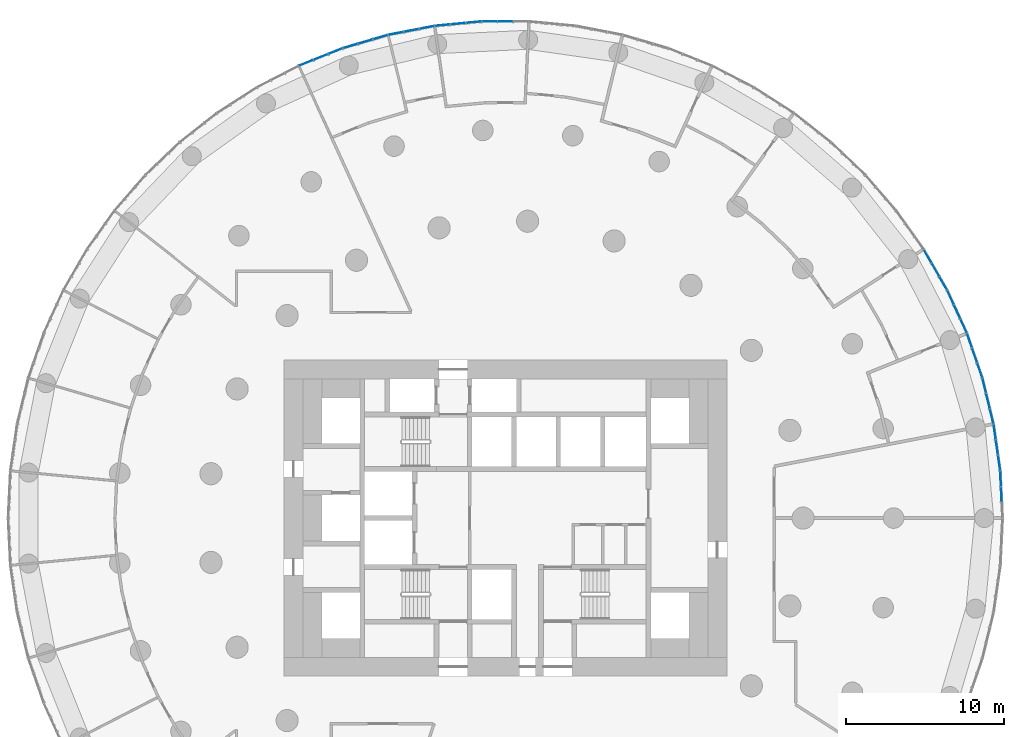
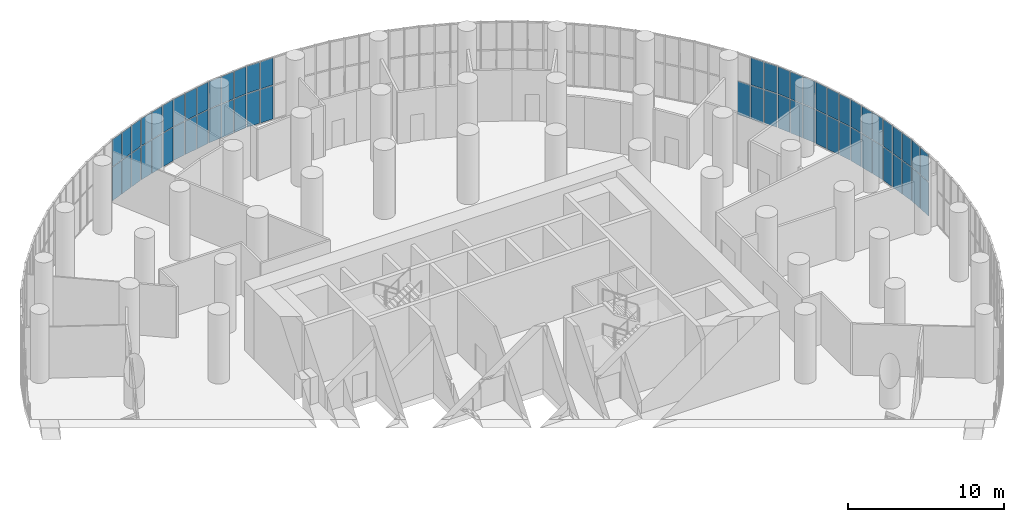
# One storey, part 18 of 27: 61 plates, 11 elements without a shape of their own.
"""IFC4 building model written with IfcOpenShell, lengths in metres."""

from ifc_helpers import new_model, si_unit, direction, frame, origin, origin_2d, place, context, subcontext, project, spatial, rectangle, extrude, material, layer, layer_set, type_object, element, aggregate, save


model = new_model("IFC4")

# Units and contexts
model_context = context("Model", 3, precision=1e-05, world=origin(), true_north=direction((0.0, 1.0)))
body_context = subcontext(model_context, "Body", "Model", "MODEL_VIEW")
ifc_project = project(units=[si_unit("LENGTHUNIT", "METRE"), si_unit("AREAUNIT", "SQUARE_METRE"), si_unit("VOLUMEUNIT", "CUBIC_METRE"), si_unit("PLANEANGLEUNIT", "RADIAN"), si_unit("MASSUNIT", "GRAM", prefix="KILO")], contexts=[model_context])

# Site, building, storey
site_placement = place(None, origin())
site = spatial("IfcSite", under=ifc_project, at=site_placement, CompositionType="ELEMENT")
building_placement = place(site_placement, origin())
building = spatial("IfcBuilding", under=site, at=building_placement, Name="Tracery Tower", CompositionType="ELEMENT")
storey_placement = place(building_placement, frame((0.0, 0.0, 114.60009765625)))
storey = spatial("IfcBuildingStorey", under=building, at=storey_placement, Name="L29", CompositionType="ELEMENT", Elevation=114.60009765625)

# Curtain wall, plates
ifc_material_1 = material(Name="Aluminium curtain wall with tinted glass", Category="aluminium")
ifc_layer_1 = layer(ifc_material_1, 0.179931640625)
ifc_layer_set_1 = layer_set([ifc_layer_1], Name="Sky lounge 1 tracery curtain wall")
curtain_wall_type = type_object("IfcCurtainWallType", Name="Sky lounge 1 tracery curtain wall", PredefinedType="NOTDEFINED", material=ifc_layer_set_1)
curtain_wall_1_placement = place(storey_placement, origin())
curtain_wall_1 = element("IfcCurtainWall", 1, at=curtain_wall_1_placement, inside=storey, type_object=curtain_wall_type, Name="Sky lounge 1 curtain wall run 1", PredefinedType="NOTDEFINED")
ifc_material_2 = material(Name="Tinted laminated glass", Category="glass")
ifc_layer_2 = layer(ifc_material_2, 0.031982421875)
ifc_layer_set_2 = layer_set([ifc_layer_2], Name="Sky lounge 1 glass panel 32")
plate_type = type_object("IfcPlateType", Name="Sky lounge 1 glass panel 32", PredefinedType="CURTAIN_PANEL", material=ifc_layer_set_2)
plate_1_placement = place(storey_placement, frame((31.36328125, 1.494140625, 0.06005859375), z_axis=(0.0, 0.0, 1.0), x_axis=(-0.047581915819, 0.998867339183, 0.0)))
plate_1 = element("IfcPlate", 2, at=plate_1_placement, type_object=plate_type, Name="Sky lounge 1 curtain wall run 1 glass panel 3", PredefinedType="CURTAIN_PANEL", context=body_context, shape_type="SweptSolid", body=[
    extrude(rectangle(XDim=0.937255859375, YDim=0.031982421875, at=origin_2d()), origin(), (0.0, 0.0, 1.0), 2.610107421875),
])
plate_2_placement = place(storey_placement, frame((31.36328125, 1.494140625, 2.72998046875), z_axis=(0.0, 0.0, 1.0), x_axis=(-0.047581915819, 0.998867339183, 0.0)))
plate_2 = element("IfcPlate", 3, at=plate_2_placement, type_object=plate_type, Name="Sky lounge 1 curtain wall run 1 glass panel 4", PredefinedType="CURTAIN_PANEL", context=body_context, shape_type="SweptSolid", body=[
    extrude(rectangle(XDim=0.937255859375, YDim=0.031982421875, at=origin_2d()), origin(), (0.0, 0.0, 1.0), 2.110107421875),
])
plate_3_placement = place(storey_placement, frame((31.31591796875, 2.489990234375, 0.06005859375), z_axis=(0.0, 0.0, 1.0), x_axis=(-0.047581915819, 0.998867339183, 0.0)))
plate_3 = element("IfcPlate", 4, at=plate_3_placement, type_object=plate_type, Name="Sky lounge 1 curtain wall run 1 glass panel 5", PredefinedType="CURTAIN_PANEL", context=body_context, shape_type="SweptSolid", body=[
    extrude(rectangle(XDim=0.937255859375, YDim=0.031982421875, at=origin_2d()), origin(), (0.0, 0.0, 1.0), 2.610107421875),
])
plate_4_placement = place(storey_placement, frame((31.31591796875, 2.489990234375, 2.72998046875), z_axis=(0.0, 0.0, 1.0), x_axis=(-0.047581915819, 0.998867339183, 0.0)))
plate_4 = element("IfcPlate", 5, at=plate_4_placement, type_object=plate_type, Name="Sky lounge 1 curtain wall run 1 glass panel 6", PredefinedType="CURTAIN_PANEL", context=body_context, shape_type="SweptSolid", body=[
    extrude(rectangle(XDim=0.937255859375, YDim=0.031982421875, at=origin_2d()), origin(), (0.0, 0.0, 1.0), 2.110107421875),
])
aggregate(curtain_wall_1, [plate_1, plate_2, plate_3, plate_4])

curtain_wall_2_placement = place(storey_placement, origin())
curtain_wall_2 = element("IfcCurtainWall", 6, at=curtain_wall_2_placement, inside=storey, type_object=curtain_wall_type, Name="Sky lounge 1 curtain wall run 2", PredefinedType="NOTDEFINED")
plate_5_placement = place(storey_placement, frame((31.22119140625, 3.4814453125, 0.06005859375), z_axis=(0.0, 0.0, 1.0), x_axis=(-0.142314838276, 0.98982144188, 0.0)))
plate_5 = element("IfcPlate", 7, at=plate_5_placement, type_object=plate_type, Name="Sky lounge 1 curtain wall run 2 glass panel 1", PredefinedType="CURTAIN_PANEL", context=body_context, shape_type="SweptSolid", body=[
    extrude(rectangle(XDim=0.937255859375, YDim=0.031982421875, at=origin_2d()), origin(), (0.0, 0.0, 1.0), 2.610107421875),
])
plate_6_placement = place(storey_placement, frame((31.22119140625, 3.4814453125, 2.72998046875), z_axis=(0.0, 0.0, 1.0), x_axis=(-0.142314838276, 0.98982144188, 0.0)))
plate_6 = element("IfcPlate", 8, at=plate_6_placement, type_object=plate_type, Name="Sky lounge 1 curtain wall run 2 glass panel 2", PredefinedType="CURTAIN_PANEL", context=body_context, shape_type="SweptSolid", body=[
    extrude(rectangle(XDim=0.937255859375, YDim=0.031982421875, at=origin_2d()), origin(), (0.0, 0.0, 1.0), 2.110107421875),
])
plate_7_placement = place(storey_placement, frame((31.079345703125, 4.468505859375, 0.06005859375), z_axis=(0.0, 0.0, 1.0), x_axis=(-0.142314838276, 0.98982144188, 0.0)))
plate_7 = element("IfcPlate", 9, at=plate_7_placement, type_object=plate_type, Name="Sky lounge 1 curtain wall run 2 glass panel 3", PredefinedType="CURTAIN_PANEL", context=body_context, shape_type="SweptSolid", body=[
    extrude(rectangle(XDim=0.937255859375, YDim=0.031982421875, at=origin_2d()), origin(), (0.0, 0.0, 1.0), 2.610107421875),
])
plate_8_placement = place(storey_placement, frame((31.079345703125, 4.468505859375, 2.72998046875), z_axis=(0.0, 0.0, 1.0), x_axis=(-0.142314838276, 0.98982144188, 0.0)))
plate_8 = element("IfcPlate", 10, at=plate_8_placement, type_object=plate_type, Name="Sky lounge 1 curtain wall run 2 glass panel 4", PredefinedType="CURTAIN_PANEL", context=body_context, shape_type="SweptSolid", body=[
    extrude(rectangle(XDim=0.937255859375, YDim=0.031982421875, at=origin_2d()), origin(), (0.0, 0.0, 1.0), 2.110107421875),
])
plate_9_placement = place(storey_placement, frame((30.9375, 5.45556640625, 0.06005859375), z_axis=(0.0, 0.0, 1.0), x_axis=(-0.142314838276, 0.98982144188, 0.0)))
plate_9 = element("IfcPlate", 11, at=plate_9_placement, type_object=plate_type, Name="Sky lounge 1 curtain wall run 2 glass panel 5", PredefinedType="CURTAIN_PANEL", context=body_context, shape_type="SweptSolid", body=[
    extrude(rectangle(XDim=0.937255859375, YDim=0.031982421875, at=origin_2d()), origin(), (0.0, 0.0, 1.0), 2.610107421875),
])
plate_10_placement = place(storey_placement, frame((30.9375, 5.45556640625, 2.72998046875), z_axis=(0.0, 0.0, 1.0), x_axis=(-0.142314838276, 0.98982144188, 0.0)))
plate_10 = element("IfcPlate", 12, at=plate_10_placement, type_object=plate_type, Name="Sky lounge 1 curtain wall run 2 glass panel 6", PredefinedType="CURTAIN_PANEL", context=body_context, shape_type="SweptSolid", body=[
    extrude(rectangle(XDim=0.937255859375, YDim=0.031982421875, at=origin_2d()), origin(), (0.0, 0.0, 1.0), 2.110107421875),
])
aggregate(curtain_wall_2, [plate_5, plate_6, plate_7, plate_8, plate_9, plate_10])

curtain_wall_3_placement = place(storey_placement, origin())
curtain_wall_3 = element("IfcCurtainWall", 13, at=curtain_wall_3_placement, inside=storey, type_object=curtain_wall_type, Name="Sky lounge 1 curtain wall run 3", PredefinedType="NOTDEFINED")
plate_11_placement = place(storey_placement, frame((30.748779296875, 6.43359375, 0.06005859375), z_axis=(0.0, 0.0, 1.0), x_axis=(-0.235758935503, 0.971811568325, 0.0)))
plate_11 = element("IfcPlate", 14, at=plate_11_placement, type_object=plate_type, Name="Sky lounge 1 curtain wall run 3 glass panel 1", PredefinedType="CURTAIN_PANEL", context=body_context, shape_type="SweptSolid", body=[
    extrude(rectangle(XDim=0.937255859375, YDim=0.031982421875, at=origin_2d()), origin(), (0.0, 0.0, 1.0), 2.610107421875),
])
plate_12_placement = place(storey_placement, frame((30.748779296875, 6.43359375, 2.72998046875), z_axis=(0.0, 0.0, 1.0), x_axis=(-0.235758935503, 0.971811568325, 0.0)))
plate_12 = element("IfcPlate", 15, at=plate_12_placement, type_object=plate_type, Name="Sky lounge 1 curtain wall run 3 glass panel 2", PredefinedType="CURTAIN_PANEL", context=body_context, shape_type="SweptSolid", body=[
    extrude(rectangle(XDim=0.937255859375, YDim=0.031982421875, at=origin_2d()), origin(), (0.0, 0.0, 1.0), 2.110107421875),
])
plate_13_placement = place(storey_placement, frame((30.513916015625, 7.402587890625, 0.06005859375), z_axis=(0.0, 0.0, 1.0), x_axis=(-0.235758935503, 0.971811568325, 0.0)))
plate_13 = element("IfcPlate", 16, at=plate_13_placement, type_object=plate_type, Name="Sky lounge 1 curtain wall run 3 glass panel 3", PredefinedType="CURTAIN_PANEL", context=body_context, shape_type="SweptSolid", body=[
    extrude(rectangle(XDim=0.937255859375, YDim=0.031982421875, at=origin_2d()), origin(), (0.0, 0.0, 1.0), 2.610107421875),
])
plate_14_placement = place(storey_placement, frame((30.513916015625, 7.402587890625, 2.72998046875), z_axis=(0.0, 0.0, 1.0), x_axis=(-0.235758935503, 0.971811568325, 0.0)))
plate_14 = element("IfcPlate", 17, at=plate_14_placement, type_object=plate_type, Name="Sky lounge 1 curtain wall run 3 glass panel 4", PredefinedType="CURTAIN_PANEL", context=body_context, shape_type="SweptSolid", body=[
    extrude(rectangle(XDim=0.937255859375, YDim=0.031982421875, at=origin_2d()), origin(), (0.0, 0.0, 1.0), 2.110107421875),
])
plate_15_placement = place(storey_placement, frame((30.27880859375, 8.37158203125, 0.06005859375), z_axis=(0.0, 0.0, 1.0), x_axis=(-0.235758935503, 0.971811568325, 0.0)))
plate_15 = element("IfcPlate", 18, at=plate_15_placement, type_object=plate_type, Name="Sky lounge 1 curtain wall run 3 glass panel 5", PredefinedType="CURTAIN_PANEL", context=body_context, shape_type="SweptSolid", body=[
    extrude(rectangle(XDim=0.937255859375, YDim=0.031982421875, at=origin_2d()), origin(), (0.0, 0.0, 1.0), 2.610107421875),
])
plate_16_placement = place(storey_placement, frame((30.27880859375, 8.37158203125, 2.72998046875), z_axis=(0.0, 0.0, 1.0), x_axis=(-0.235758935503, 0.971811568325, 0.0)))
plate_16 = element("IfcPlate", 19, at=plate_16_placement, type_object=plate_type, Name="Sky lounge 1 curtain wall run 3 glass panel 6", PredefinedType="CURTAIN_PANEL", context=body_context, shape_type="SweptSolid", body=[
    extrude(rectangle(XDim=0.937255859375, YDim=0.031982421875, at=origin_2d()), origin(), (0.0, 0.0, 1.0), 2.110107421875),
])
aggregate(curtain_wall_3, [plate_11, plate_12, plate_13, plate_14, plate_15, plate_16])

curtain_wall_4_placement = place(storey_placement, origin())
curtain_wall_4 = element("IfcCurtainWall", 20, at=curtain_wall_4_placement, inside=storey, type_object=curtain_wall_type, Name="Sky lounge 1 curtain wall run 4", PredefinedType="NOTDEFINED")
plate_17_placement = place(storey_placement, frame((29.998046875, 9.327392578125, 0.06005859375), z_axis=(0.0, 0.0, 1.0), x_axis=(-0.327067963319, 0.945000818714, 0.0)))
plate_17 = element("IfcPlate", 21, at=plate_17_placement, type_object=plate_type, Name="Sky lounge 1 curtain wall run 4 glass panel 1", PredefinedType="CURTAIN_PANEL", context=body_context, shape_type="SweptSolid", body=[
    extrude(rectangle(XDim=0.937255859375, YDim=0.031982421875, at=origin_2d()), origin(), (0.0, 0.0, 1.0), 2.610107421875),
])
plate_18_placement = place(storey_placement, frame((29.998046875, 9.327392578125, 2.72998046875), z_axis=(0.0, 0.0, 1.0), x_axis=(-0.327067963319, 0.945000818714, 0.0)))
plate_18 = element("IfcPlate", 22, at=plate_18_placement, type_object=plate_type, Name="Sky lounge 1 curtain wall run 4 glass panel 2", PredefinedType="CURTAIN_PANEL", context=body_context, shape_type="SweptSolid", body=[
    extrude(rectangle(XDim=0.937255859375, YDim=0.031982421875, at=origin_2d()), origin(), (0.0, 0.0, 1.0), 2.110107421875),
])
plate_19_placement = place(storey_placement, frame((29.671875, 10.26953125, 0.06005859375), z_axis=(0.0, 0.0, 1.0), x_axis=(-0.327067963319, 0.945000818714, 0.0)))
plate_19 = element("IfcPlate", 23, at=plate_19_placement, type_object=plate_type, Name="Sky lounge 1 curtain wall run 4 glass panel 3", PredefinedType="CURTAIN_PANEL", context=body_context, shape_type="SweptSolid", body=[
    extrude(rectangle(XDim=0.937255859375, YDim=0.031982421875, at=origin_2d()), origin(), (0.0, 0.0, 1.0), 2.610107421875),
])
plate_20_placement = place(storey_placement, frame((29.671875, 10.26953125, 2.72998046875), z_axis=(0.0, 0.0, 1.0), x_axis=(-0.327067963319, 0.945000818714, 0.0)))
plate_20 = element("IfcPlate", 24, at=plate_20_placement, type_object=plate_type, Name="Sky lounge 1 curtain wall run 4 glass panel 4", PredefinedType="CURTAIN_PANEL", context=body_context, shape_type="SweptSolid", body=[
    extrude(rectangle(XDim=0.937255859375, YDim=0.031982421875, at=origin_2d()), origin(), (0.0, 0.0, 1.0), 2.110107421875),
])
plate_21_placement = place(storey_placement, frame((29.345947265625, 11.2119140625, 0.06005859375), z_axis=(0.0, 0.0, 1.0), x_axis=(-0.327067963319, 0.945000818714, 0.0)))
plate_21 = element("IfcPlate", 25, at=plate_21_placement, type_object=plate_type, Name="Sky lounge 1 curtain wall run 4 glass panel 5", PredefinedType="CURTAIN_PANEL", context=body_context, shape_type="SweptSolid", body=[
    extrude(rectangle(XDim=0.937255859375, YDim=0.031982421875, at=origin_2d()), origin(), (0.0, 0.0, 1.0), 2.610107421875),
])
plate_22_placement = place(storey_placement, frame((29.345947265625, 11.2119140625, 2.72998046875), z_axis=(0.0, 0.0, 1.0), x_axis=(-0.327067963319, 0.945000818714, 0.0)))
plate_22 = element("IfcPlate", 26, at=plate_22_placement, type_object=plate_type, Name="Sky lounge 1 curtain wall run 4 glass panel 6", PredefinedType="CURTAIN_PANEL", context=body_context, shape_type="SweptSolid", body=[
    extrude(rectangle(XDim=0.937255859375, YDim=0.031982421875, at=origin_2d()), origin(), (0.0, 0.0, 1.0), 2.110107421875),
])
aggregate(curtain_wall_4, [plate_17, plate_18, plate_19, plate_20, plate_21, plate_22])

curtain_wall_5_placement = place(storey_placement, origin())
curtain_wall_5 = element("IfcCurtainWall", 27, at=curtain_wall_5_placement, inside=storey, type_object=curtain_wall_type, Name="Sky lounge 1 curtain wall run 5", PredefinedType="NOTDEFINED")
plate_23_placement = place(storey_placement, frame((28.9755859375, 12.136474609375, 0.06005859375), z_axis=(0.0, 0.0, 1.0), x_axis=(-0.415415012995, 0.909631995358, 0.0)))
plate_23 = element("IfcPlate", 28, at=plate_23_placement, type_object=plate_type, Name="Sky lounge 1 curtain wall run 5 glass panel 1", PredefinedType="CURTAIN_PANEL", context=body_context, shape_type="SweptSolid", body=[
    extrude(rectangle(XDim=0.937255859375, YDim=0.031982421875, at=origin_2d()), origin(), (0.0, 0.0, 1.0), 2.610107421875),
])
plate_24_placement = place(storey_placement, frame((28.9755859375, 12.136474609375, 2.72998046875), z_axis=(0.0, 0.0, 1.0), x_axis=(-0.415415012995, 0.909631995358, 0.0)))
plate_24 = element("IfcPlate", 29, at=plate_24_placement, type_object=plate_type, Name="Sky lounge 1 curtain wall run 5 glass panel 2", PredefinedType="CURTAIN_PANEL", context=body_context, shape_type="SweptSolid", body=[
    extrude(rectangle(XDim=0.937255859375, YDim=0.031982421875, at=origin_2d()), origin(), (0.0, 0.0, 1.0), 2.110107421875),
])
plate_25_placement = place(storey_placement, frame((28.5615234375, 13.04345703125, 0.06005859375), z_axis=(0.0, 0.0, 1.0), x_axis=(-0.415415012995, 0.909631995358, 0.0)))
plate_25 = element("IfcPlate", 30, at=plate_25_placement, type_object=plate_type, Name="Sky lounge 1 curtain wall run 5 glass panel 3", PredefinedType="CURTAIN_PANEL", context=body_context, shape_type="SweptSolid", body=[
    extrude(rectangle(XDim=0.937255859375, YDim=0.031982421875, at=origin_2d()), origin(), (0.0, 0.0, 1.0), 2.610107421875),
])
plate_26_placement = place(storey_placement, frame((28.5615234375, 13.04345703125, 2.72998046875), z_axis=(0.0, 0.0, 1.0), x_axis=(-0.415415012995, 0.909631995358, 0.0)))
plate_26 = element("IfcPlate", 31, at=plate_26_placement, type_object=plate_type, Name="Sky lounge 1 curtain wall run 5 glass panel 4", PredefinedType="CURTAIN_PANEL", context=body_context, shape_type="SweptSolid", body=[
    extrude(rectangle(XDim=0.937255859375, YDim=0.031982421875, at=origin_2d()), origin(), (0.0, 0.0, 1.0), 2.110107421875),
])
plate_27_placement = place(storey_placement, frame((28.147216796875, 13.95068359375, 0.06005859375), z_axis=(0.0, 0.0, 1.0), x_axis=(-0.415415012995, 0.909631995358, 0.0)))
plate_27 = element("IfcPlate", 32, at=plate_27_placement, type_object=plate_type, Name="Sky lounge 1 curtain wall run 5 glass panel 5", PredefinedType="CURTAIN_PANEL", context=body_context, shape_type="SweptSolid", body=[
    extrude(rectangle(XDim=0.937255859375, YDim=0.031982421875, at=origin_2d()), origin(), (0.0, 0.0, 1.0), 2.610107421875),
])
plate_28_placement = place(storey_placement, frame((28.147216796875, 13.95068359375, 2.72998046875), z_axis=(0.0, 0.0, 1.0), x_axis=(-0.415415012995, 0.909631995358, 0.0)))
plate_28 = element("IfcPlate", 33, at=plate_28_placement, type_object=plate_type, Name="Sky lounge 1 curtain wall run 5 glass panel 6", PredefinedType="CURTAIN_PANEL", context=body_context, shape_type="SweptSolid", body=[
    extrude(rectangle(XDim=0.937255859375, YDim=0.031982421875, at=origin_2d()), origin(), (0.0, 0.0, 1.0), 2.110107421875),
])
aggregate(curtain_wall_5, [plate_23, plate_24, plate_25, plate_26, plate_27, plate_28])

curtain_wall_6_placement = place(storey_placement, origin())
curtain_wall_6 = element("IfcCurtainWall", 34, at=curtain_wall_6_placement, inside=storey, type_object=curtain_wall_type, Name="Sky lounge 1 curtain wall run 6", PredefinedType="NOTDEFINED")
plate_29_placement = place(storey_placement, frame((27.69091796875, 14.8359375, 0.06005859375), z_axis=(0.0, 0.0, 1.0), x_axis=(-0.5, 0.866025403784, 0.0)))
plate_29 = element("IfcPlate", 35, at=plate_29_placement, type_object=plate_type, Name="Sky lounge 1 curtain wall run 6 glass panel 1", PredefinedType="CURTAIN_PANEL", context=body_context, shape_type="SweptSolid", body=[
    extrude(rectangle(XDim=0.937255859375, YDim=0.031982421875, at=origin_2d()), origin(), (0.0, 0.0, 1.0), 2.610107421875),
])
plate_30_placement = place(storey_placement, frame((27.69091796875, 14.8359375, 2.72998046875), z_axis=(0.0, 0.0, 1.0), x_axis=(-0.5, 0.866025403784, 0.0)))
plate_30 = element("IfcPlate", 36, at=plate_30_placement, type_object=plate_type, Name="Sky lounge 1 curtain wall run 6 glass panel 2", PredefinedType="CURTAIN_PANEL", context=body_context, shape_type="SweptSolid", body=[
    extrude(rectangle(XDim=0.937255859375, YDim=0.031982421875, at=origin_2d()), origin(), (0.0, 0.0, 1.0), 2.110107421875),
])
plate_31_placement = place(storey_placement, frame((27.192138671875, 15.699462890625, 0.06005859375), z_axis=(0.0, 0.0, 1.0), x_axis=(-0.5, 0.866025403784, 0.0)))
plate_31 = element("IfcPlate", 37, at=plate_31_placement, type_object=plate_type, Name="Sky lounge 1 curtain wall run 6 glass panel 3", PredefinedType="CURTAIN_PANEL", context=body_context, shape_type="SweptSolid", body=[
    extrude(rectangle(XDim=0.937255859375, YDim=0.031982421875, at=origin_2d()), origin(), (0.0, 0.0, 1.0), 2.610107421875),
])
plate_32_placement = place(storey_placement, frame((27.192138671875, 15.699462890625, 2.72998046875), z_axis=(0.0, 0.0, 1.0), x_axis=(-0.5, 0.866025403784, 0.0)))
plate_32 = element("IfcPlate", 38, at=plate_32_placement, type_object=plate_type, Name="Sky lounge 1 curtain wall run 6 glass panel 4", PredefinedType="CURTAIN_PANEL", context=body_context, shape_type="SweptSolid", body=[
    extrude(rectangle(XDim=0.937255859375, YDim=0.031982421875, at=origin_2d()), origin(), (0.0, 0.0, 1.0), 2.110107421875),
])
plate_33_placement = place(storey_placement, frame((26.693603515625, 16.56298828125, 0.06005859375), z_axis=(0.0, 0.0, 1.0), x_axis=(-0.5, 0.866025403784, 0.0)))
plate_33 = element("IfcPlate", 39, at=plate_33_placement, type_object=plate_type, Name="Sky lounge 1 curtain wall run 6 glass panel 5", PredefinedType="CURTAIN_PANEL", context=body_context, shape_type="SweptSolid", body=[
    extrude(rectangle(XDim=0.937255859375, YDim=0.031982421875, at=origin_2d()), origin(), (0.0, 0.0, 1.0), 2.610107421875),
])
aggregate(curtain_wall_6, [plate_29, plate_30, plate_31, plate_32, plate_33])

curtain_wall_7_placement = place(storey_placement, origin())
curtain_wall_7 = element("IfcCurtainWall", 40, at=curtain_wall_7_placement, inside=storey, type_object=curtain_wall_type, Name="Sky lounge 1 curtain wall run 17", PredefinedType="NOTDEFINED")
plate_34_placement = place(storey_placement, frame((0.0, 31.39892578125, 0.06005859375), z_axis=(0.0, 0.0, 1.0), x_axis=(-1.0, 0.0, 0.0)))
plate_34 = element("IfcPlate", 41, at=plate_34_placement, type_object=plate_type, Name="Sky lounge 1 curtain wall run 17 glass panel 3", PredefinedType="CURTAIN_PANEL", context=body_context, shape_type="SweptSolid", body=[
    extrude(rectangle(XDim=0.937255859375, YDim=0.031982421875, at=origin_2d()), origin(), (0.0, 0.0, 1.0), 2.610107421875),
])
plate_35_placement = place(storey_placement, frame((0.0, 31.39892578125, 2.72998046875), z_axis=(0.0, 0.0, 1.0), x_axis=(-1.0, 0.0, 0.0)))
plate_35 = element("IfcPlate", 42, at=plate_35_placement, type_object=plate_type, Name="Sky lounge 1 curtain wall run 17 glass panel 4", PredefinedType="CURTAIN_PANEL", context=body_context, shape_type="SweptSolid", body=[
    extrude(rectangle(XDim=0.937255859375, YDim=0.031982421875, at=origin_2d()), origin(), (0.0, 0.0, 1.0), 2.110107421875),
])
plate_36_placement = place(storey_placement, frame((-0.9970703125, 31.39892578125, 0.06005859375), z_axis=(0.0, 0.0, 1.0), x_axis=(-1.0, 0.0, 0.0)))
plate_36 = element("IfcPlate", 43, at=plate_36_placement, type_object=plate_type, Name="Sky lounge 1 curtain wall run 17 glass panel 5", PredefinedType="CURTAIN_PANEL", context=body_context, shape_type="SweptSolid", body=[
    extrude(rectangle(XDim=0.937255859375, YDim=0.031982421875, at=origin_2d()), origin(), (0.0, 0.0, 1.0), 2.610107421875),
])
plate_37_placement = place(storey_placement, frame((-0.9970703125, 31.39892578125, 2.72998046875), z_axis=(0.0, 0.0, 1.0), x_axis=(-1.0, 0.0, 0.0)))
plate_37 = element("IfcPlate", 44, at=plate_37_placement, type_object=plate_type, Name="Sky lounge 1 curtain wall run 17 glass panel 6", PredefinedType="CURTAIN_PANEL", context=body_context, shape_type="SweptSolid", body=[
    extrude(rectangle(XDim=0.937255859375, YDim=0.031982421875, at=origin_2d()), origin(), (0.0, 0.0, 1.0), 2.110107421875),
])
aggregate(curtain_wall_7, [plate_34, plate_35, plate_36, plate_37])

curtain_wall_8_placement = place(storey_placement, origin())
curtain_wall_8 = element("IfcCurtainWall", 45, at=curtain_wall_8_placement, inside=storey, type_object=curtain_wall_type, Name="Sky lounge 1 curtain wall run 18", PredefinedType="NOTDEFINED")
plate_38_placement = place(storey_placement, frame((-1.991943359375, 31.3515625, 0.06005859375), z_axis=(0.0, 0.0, 1.0), x_axis=(-0.995471922572, -0.095056043312, 0.0)))
plate_38 = element("IfcPlate", 46, at=plate_38_placement, type_object=plate_type, Name="Sky lounge 1 curtain wall run 18 glass panel 1", PredefinedType="CURTAIN_PANEL", context=body_context, shape_type="SweptSolid", body=[
    extrude(rectangle(XDim=0.937255859375, YDim=0.031982421875, at=origin_2d()), origin(), (0.0, 0.0, 1.0), 2.610107421875),
])
plate_39_placement = place(storey_placement, frame((-1.991943359375, 31.3515625, 2.72998046875), z_axis=(0.0, 0.0, 1.0), x_axis=(-0.995471922572, -0.095056043312, 0.0)))
plate_39 = element("IfcPlate", 47, at=plate_39_placement, type_object=plate_type, Name="Sky lounge 1 curtain wall run 18 glass panel 2", PredefinedType="CURTAIN_PANEL", context=body_context, shape_type="SweptSolid", body=[
    extrude(rectangle(XDim=0.937255859375, YDim=0.031982421875, at=origin_2d()), origin(), (0.0, 0.0, 1.0), 2.110107421875),
])
plate_40_placement = place(storey_placement, frame((-2.984619140625, 31.2568359375, 0.06005859375), z_axis=(0.0, 0.0, 1.0), x_axis=(-0.995471922572, -0.095056043312, 0.0)))
plate_40 = element("IfcPlate", 48, at=plate_40_placement, type_object=plate_type, Name="Sky lounge 1 curtain wall run 18 glass panel 3", PredefinedType="CURTAIN_PANEL", context=body_context, shape_type="SweptSolid", body=[
    extrude(rectangle(XDim=0.937255859375, YDim=0.031982421875, at=origin_2d()), origin(), (0.0, 0.0, 1.0), 2.610107421875),
])
plate_41_placement = place(storey_placement, frame((-2.984619140625, 31.2568359375, 2.72998046875), z_axis=(0.0, 0.0, 1.0), x_axis=(-0.995471922572, -0.095056043312, 0.0)))
plate_41 = element("IfcPlate", 49, at=plate_41_placement, type_object=plate_type, Name="Sky lounge 1 curtain wall run 18 glass panel 4", PredefinedType="CURTAIN_PANEL", context=body_context, shape_type="SweptSolid", body=[
    extrude(rectangle(XDim=0.937255859375, YDim=0.031982421875, at=origin_2d()), origin(), (0.0, 0.0, 1.0), 2.110107421875),
])
plate_42_placement = place(storey_placement, frame((-3.977294921875, 31.161865234375, 0.06005859375), z_axis=(0.0, 0.0, 1.0), x_axis=(-0.995471922572, -0.095056043312, 0.0)))
plate_42 = element("IfcPlate", 50, at=plate_42_placement, type_object=plate_type, Name="Sky lounge 1 curtain wall run 18 glass panel 5", PredefinedType="CURTAIN_PANEL", context=body_context, shape_type="SweptSolid", body=[
    extrude(rectangle(XDim=0.937255859375, YDim=0.031982421875, at=origin_2d()), origin(), (0.0, 0.0, 1.0), 2.610107421875),
])
plate_43_placement = place(storey_placement, frame((-3.977294921875, 31.161865234375, 2.72998046875), z_axis=(0.0, 0.0, 1.0), x_axis=(-0.995471922572, -0.095056043312, 0.0)))
plate_43 = element("IfcPlate", 51, at=plate_43_placement, type_object=plate_type, Name="Sky lounge 1 curtain wall run 18 glass panel 6", PredefinedType="CURTAIN_PANEL", context=body_context, shape_type="SweptSolid", body=[
    extrude(rectangle(XDim=0.937255859375, YDim=0.031982421875, at=origin_2d()), origin(), (0.0, 0.0, 1.0), 2.110107421875),
])
aggregate(curtain_wall_8, [plate_38, plate_39, plate_40, plate_41, plate_42, plate_43])

curtain_wall_9_placement = place(storey_placement, origin())
curtain_wall_9 = element("IfcCurtainWall", 52, at=curtain_wall_9_placement, inside=storey, type_object=curtain_wall_type, Name="Sky lounge 1 curtain wall run 19", PredefinedType="NOTDEFINED")
plate_44_placement = place(storey_placement, frame((-4.963134765625, 31.020263671875, 0.06005859375), z_axis=(0.0, 0.0, 1.0), x_axis=(-0.981928697263, -0.189251244359, 0.0)))
plate_44 = element("IfcPlate", 53, at=plate_44_placement, type_object=plate_type, Name="Sky lounge 1 curtain wall run 19 glass panel 1", PredefinedType="CURTAIN_PANEL", context=body_context, shape_type="SweptSolid", body=[
    extrude(rectangle(XDim=0.937255859375, YDim=0.031982421875, at=origin_2d()), origin(), (0.0, 0.0, 1.0), 2.610107421875),
])
plate_45_placement = place(storey_placement, frame((-4.963134765625, 31.020263671875, 2.72998046875), z_axis=(0.0, 0.0, 1.0), x_axis=(-0.981928697263, -0.189251244359, 0.0)))
plate_45 = element("IfcPlate", 54, at=plate_45_placement, type_object=plate_type, Name="Sky lounge 1 curtain wall run 19 glass panel 2", PredefinedType="CURTAIN_PANEL", context=body_context, shape_type="SweptSolid", body=[
    extrude(rectangle(XDim=0.937255859375, YDim=0.031982421875, at=origin_2d()), origin(), (0.0, 0.0, 1.0), 2.110107421875),
])
plate_46_placement = place(storey_placement, frame((-5.9423828125, 30.83154296875, 0.06005859375), z_axis=(0.0, 0.0, 1.0), x_axis=(-0.981928697263, -0.189251244359, 0.0)))
plate_46 = element("IfcPlate", 55, at=plate_46_placement, type_object=plate_type, Name="Sky lounge 1 curtain wall run 19 glass panel 3", PredefinedType="CURTAIN_PANEL", context=body_context, shape_type="SweptSolid", body=[
    extrude(rectangle(XDim=0.937255859375, YDim=0.031982421875, at=origin_2d()), origin(), (0.0, 0.0, 1.0), 2.610107421875),
])
plate_47_placement = place(storey_placement, frame((-5.9423828125, 30.83154296875, 2.72998046875), z_axis=(0.0, 0.0, 1.0), x_axis=(-0.981928697263, -0.189251244359, 0.0)))
plate_47 = element("IfcPlate", 56, at=plate_47_placement, type_object=plate_type, Name="Sky lounge 1 curtain wall run 19 glass panel 4", PredefinedType="CURTAIN_PANEL", context=body_context, shape_type="SweptSolid", body=[
    extrude(rectangle(XDim=0.937255859375, YDim=0.031982421875, at=origin_2d()), origin(), (0.0, 0.0, 1.0), 2.110107421875),
])
plate_48_placement = place(storey_placement, frame((-6.92138671875, 30.642822265625, 0.06005859375), z_axis=(0.0, 0.0, 1.0), x_axis=(-0.981928697263, -0.189251244359, 0.0)))
plate_48 = element("IfcPlate", 57, at=plate_48_placement, type_object=plate_type, Name="Sky lounge 1 curtain wall run 19 glass panel 5", PredefinedType="CURTAIN_PANEL", context=body_context, shape_type="SweptSolid", body=[
    extrude(rectangle(XDim=0.937255859375, YDim=0.031982421875, at=origin_2d()), origin(), (0.0, 0.0, 1.0), 2.610107421875),
])
plate_49_placement = place(storey_placement, frame((-6.92138671875, 30.642822265625, 2.72998046875), z_axis=(0.0, 0.0, 1.0), x_axis=(-0.981928697263, -0.189251244359, 0.0)))
plate_49 = element("IfcPlate", 58, at=plate_49_placement, type_object=plate_type, Name="Sky lounge 1 curtain wall run 19 glass panel 6", PredefinedType="CURTAIN_PANEL", context=body_context, shape_type="SweptSolid", body=[
    extrude(rectangle(XDim=0.937255859375, YDim=0.031982421875, at=origin_2d()), origin(), (0.0, 0.0, 1.0), 2.110107421875),
])
aggregate(curtain_wall_9, [plate_44, plate_45, plate_46, plate_47, plate_48, plate_49])

curtain_wall_10_placement = place(storey_placement, origin())
curtain_wall_10 = element("IfcCurtainWall", 59, at=curtain_wall_10_placement, inside=storey, type_object=curtain_wall_type, Name="Sky lounge 1 curtain wall run 20", PredefinedType="NOTDEFINED")
plate_50_placement = place(storey_placement, frame((-7.889404296875, 30.407958984375, 0.06005859375), z_axis=(0.0, 0.0, 1.0), x_axis=(-0.959492973613, -0.281732556848, 0.0)))
plate_50 = element("IfcPlate", 60, at=plate_50_placement, type_object=plate_type, Name="Sky lounge 1 curtain wall run 20 glass panel 1", PredefinedType="CURTAIN_PANEL", context=body_context, shape_type="SweptSolid", body=[
    extrude(rectangle(XDim=0.937255859375, YDim=0.031982421875, at=origin_2d()), origin(), (0.0, 0.0, 1.0), 2.610107421875),
])
plate_51_placement = place(storey_placement, frame((-7.889404296875, 30.407958984375, 2.72998046875), z_axis=(0.0, 0.0, 1.0), x_axis=(-0.959492973613, -0.281732556848, 0.0)))
plate_51 = element("IfcPlate", 61, at=plate_51_placement, type_object=plate_type, Name="Sky lounge 1 curtain wall run 20 glass panel 2", PredefinedType="CURTAIN_PANEL", context=body_context, shape_type="SweptSolid", body=[
    extrude(rectangle(XDim=0.937255859375, YDim=0.031982421875, at=origin_2d()), origin(), (0.0, 0.0, 1.0), 2.110107421875),
])
plate_52_placement = place(storey_placement, frame((-8.84619140625, 30.126953125, 0.06005859375), z_axis=(0.0, 0.0, 1.0), x_axis=(-0.959492973613, -0.281732556848, 0.0)))
plate_52 = element("IfcPlate", 62, at=plate_52_placement, type_object=plate_type, Name="Sky lounge 1 curtain wall run 20 glass panel 3", PredefinedType="CURTAIN_PANEL", context=body_context, shape_type="SweptSolid", body=[
    extrude(rectangle(XDim=0.937255859375, YDim=0.031982421875, at=origin_2d()), origin(), (0.0, 0.0, 1.0), 2.610107421875),
])
plate_53_placement = place(storey_placement, frame((-8.84619140625, 30.126953125, 2.72998046875), z_axis=(0.0, 0.0, 1.0), x_axis=(-0.959492973613, -0.281732556848, 0.0)))
plate_53 = element("IfcPlate", 63, at=plate_53_placement, type_object=plate_type, Name="Sky lounge 1 curtain wall run 20 glass panel 4", PredefinedType="CURTAIN_PANEL", context=body_context, shape_type="SweptSolid", body=[
    extrude(rectangle(XDim=0.937255859375, YDim=0.031982421875, at=origin_2d()), origin(), (0.0, 0.0, 1.0), 2.110107421875),
])
plate_54_placement = place(storey_placement, frame((-9.802734375, 29.84619140625, 0.06005859375), z_axis=(0.0, 0.0, 1.0), x_axis=(-0.959492973613, -0.281732556848, 0.0)))
plate_54 = element("IfcPlate", 64, at=plate_54_placement, type_object=plate_type, Name="Sky lounge 1 curtain wall run 20 glass panel 5", PredefinedType="CURTAIN_PANEL", context=body_context, shape_type="SweptSolid", body=[
    extrude(rectangle(XDim=0.937255859375, YDim=0.031982421875, at=origin_2d()), origin(), (0.0, 0.0, 1.0), 2.610107421875),
])
plate_55_placement = place(storey_placement, frame((-9.802734375, 29.84619140625, 2.72998046875), z_axis=(0.0, 0.0, 1.0), x_axis=(-0.959492973613, -0.281732556848, 0.0)))
plate_55 = element("IfcPlate", 65, at=plate_55_placement, type_object=plate_type, Name="Sky lounge 1 curtain wall run 20 glass panel 6", PredefinedType="CURTAIN_PANEL", context=body_context, shape_type="SweptSolid", body=[
    extrude(rectangle(XDim=0.937255859375, YDim=0.031982421875, at=origin_2d()), origin(), (0.0, 0.0, 1.0), 2.110107421875),
])
aggregate(curtain_wall_10, [plate_50, plate_51, plate_52, plate_53, plate_54, plate_55])

curtain_wall_11_placement = place(storey_placement, origin())
curtain_wall_11 = element("IfcCurtainWall", 66, at=curtain_wall_11_placement, inside=storey, type_object=curtain_wall_type, Name="Sky lounge 1 curtain wall run 21", PredefinedType="NOTDEFINED")
plate_56_placement = place(storey_placement, frame((-10.744140625, 29.520263671875, 0.06005859375), z_axis=(0.0, 0.0, 1.0), x_axis=(-0.928367933017, -0.371662455657, 0.0)))
plate_56 = element("IfcPlate", 67, at=plate_56_placement, type_object=plate_type, Name="Sky lounge 1 curtain wall run 21 glass panel 1", PredefinedType="CURTAIN_PANEL", context=body_context, shape_type="SweptSolid", body=[
    extrude(rectangle(XDim=0.937255859375, YDim=0.031982421875, at=origin_2d()), origin(), (0.0, 0.0, 1.0), 2.610107421875),
])
plate_57_placement = place(storey_placement, frame((-10.744140625, 29.520263671875, 2.72998046875), z_axis=(0.0, 0.0, 1.0), x_axis=(-0.928367933017, -0.371662455657, 0.0)))
plate_57 = element("IfcPlate", 68, at=plate_57_placement, type_object=plate_type, Name="Sky lounge 1 curtain wall run 21 glass panel 2", PredefinedType="CURTAIN_PANEL", context=body_context, shape_type="SweptSolid", body=[
    extrude(rectangle(XDim=0.937255859375, YDim=0.031982421875, at=origin_2d()), origin(), (0.0, 0.0, 1.0), 2.110107421875),
])
plate_58_placement = place(storey_placement, frame((-11.669677734375, 29.149658203125, 0.06005859375), z_axis=(0.0, 0.0, 1.0), x_axis=(-0.928367933017, -0.371662455657, 0.0)))
plate_58 = element("IfcPlate", 69, at=plate_58_placement, type_object=plate_type, Name="Sky lounge 1 curtain wall run 21 glass panel 3", PredefinedType="CURTAIN_PANEL", context=body_context, shape_type="SweptSolid", body=[
    extrude(rectangle(XDim=0.937255859375, YDim=0.031982421875, at=origin_2d()), origin(), (0.0, 0.0, 1.0), 2.610107421875),
])
plate_59_placement = place(storey_placement, frame((-11.669677734375, 29.149658203125, 2.72998046875), z_axis=(0.0, 0.0, 1.0), x_axis=(-0.928367933017, -0.371662455657, 0.0)))
plate_59 = element("IfcPlate", 70, at=plate_59_placement, type_object=plate_type, Name="Sky lounge 1 curtain wall run 21 glass panel 4", PredefinedType="CURTAIN_PANEL", context=body_context, shape_type="SweptSolid", body=[
    extrude(rectangle(XDim=0.937255859375, YDim=0.031982421875, at=origin_2d()), origin(), (0.0, 0.0, 1.0), 2.110107421875),
])
plate_60_placement = place(storey_placement, frame((-12.595458984375, 28.779052734375, 0.06005859375), z_axis=(0.0, 0.0, 1.0), x_axis=(-0.928367933017, -0.371662455657, 0.0)))
plate_60 = element("IfcPlate", 71, at=plate_60_placement, type_object=plate_type, Name="Sky lounge 1 curtain wall run 21 glass panel 5", PredefinedType="CURTAIN_PANEL", context=body_context, shape_type="SweptSolid", body=[
    extrude(rectangle(XDim=0.937255859375, YDim=0.031982421875, at=origin_2d()), origin(), (0.0, 0.0, 1.0), 2.610107421875),
])
plate_61_placement = place(storey_placement, frame((-12.595458984375, 28.779052734375, 2.72998046875), z_axis=(0.0, 0.0, 1.0), x_axis=(-0.928367933017, -0.371662455657, 0.0)))
plate_61 = element("IfcPlate", 72, at=plate_61_placement, type_object=plate_type, Name="Sky lounge 1 curtain wall run 21 glass panel 6", PredefinedType="CURTAIN_PANEL", context=body_context, shape_type="SweptSolid", body=[
    extrude(rectangle(XDim=0.937255859375, YDim=0.031982421875, at=origin_2d()), origin(), (0.0, 0.0, 1.0), 2.110107421875),
])
aggregate(curtain_wall_11, [plate_56, plate_57, plate_58, plate_59, plate_60, plate_61])

save(model, "model.ifc")
